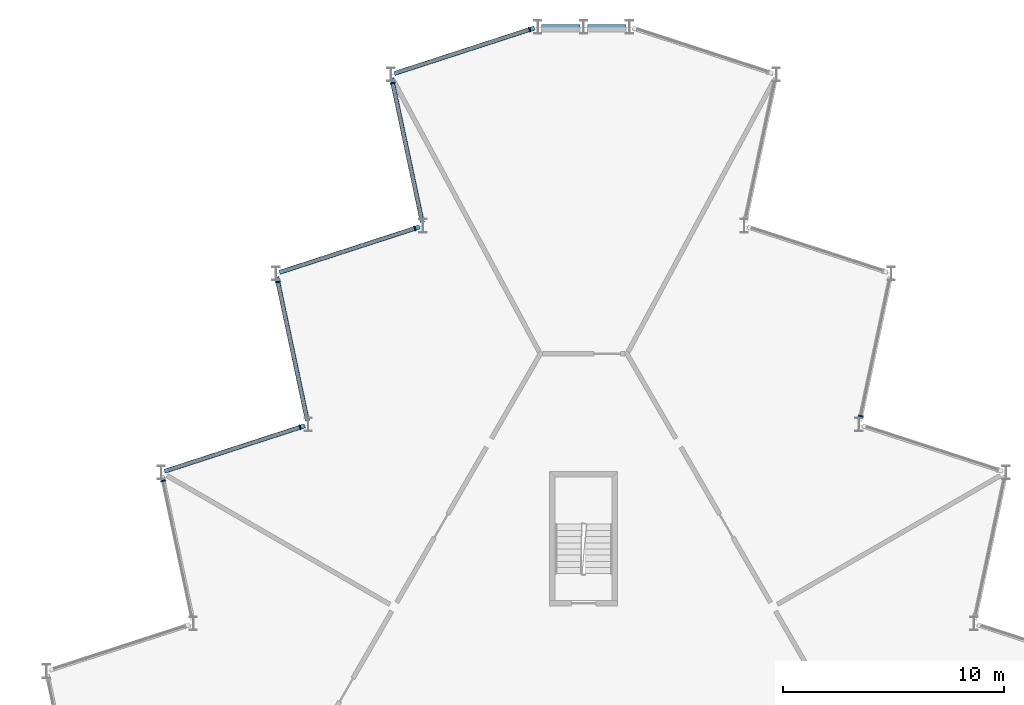
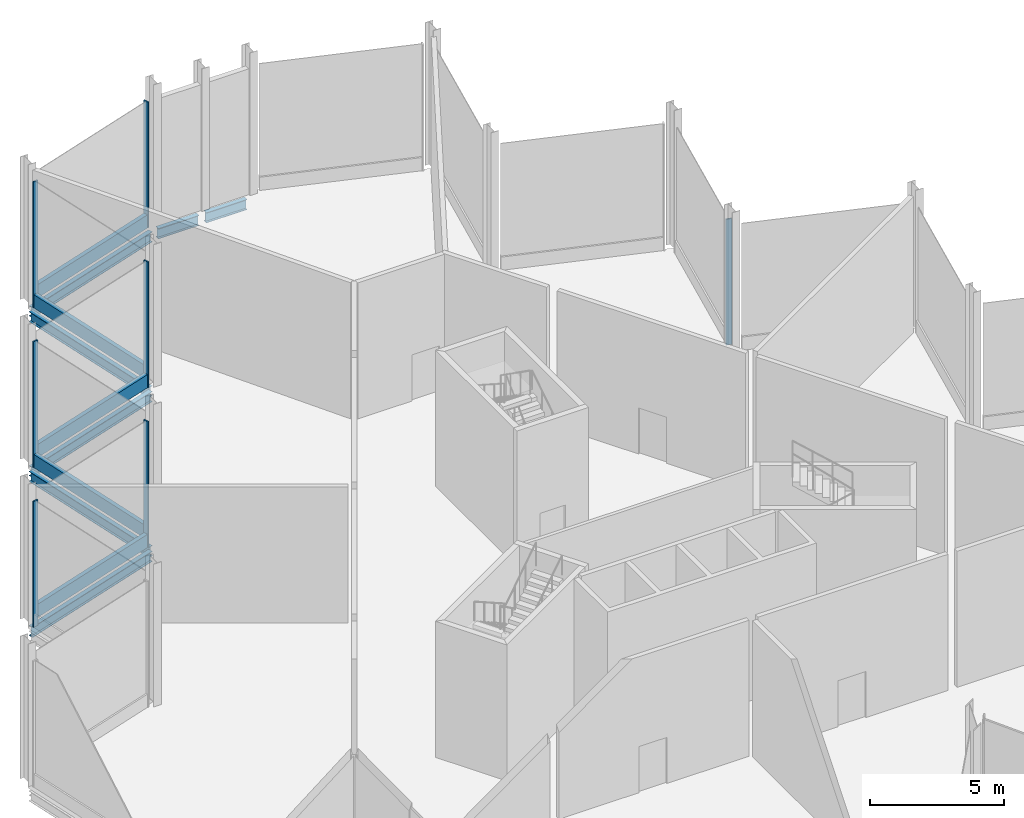
# One storey, part 7 of 12: 12 members, 7 beams, 7 elements without a shape of their own.
"""IFC4 building model written with IfcOpenShell, lengths in metres."""

from ifc_helpers import new_model, si_unit, direction, frame, origin, origin_2d, place, context, subcontext, project, spatial, rectangle, i_section, extrude, material, layer, layer_set, material_profile, profile_set, type_object, element, aggregate, save


model = new_model("IFC4")

# Units and contexts
model_context = context("Model", 3, precision=1e-05, world=origin(), true_north=direction((0.0, 1.0)))
body_context = subcontext(model_context, "Body", "Model", "MODEL_VIEW")
ifc_project = project(units=[si_unit("LENGTHUNIT", "METRE"), si_unit("AREAUNIT", "SQUARE_METRE"), si_unit("VOLUMEUNIT", "CUBIC_METRE"), si_unit("PLANEANGLEUNIT", "RADIAN"), si_unit("MASSUNIT", "GRAM", prefix="KILO")], contexts=[model_context])

# Site, building, storey
site_placement = place(None, origin())
site = spatial("IfcSite", under=ifc_project, at=site_placement, CompositionType="ELEMENT")
building_placement = place(site_placement, origin())
building = spatial("IfcBuilding", under=site, at=building_placement, Name="Cormorant Prow Tower", CompositionType="ELEMENT")
storey_placement = place(building_placement, frame((0.0, 0.0, 415.199951171875)))
storey = spatial("IfcBuildingStorey", under=building, at=storey_placement, Name="L94", CompositionType="ELEMENT", Elevation=415.199951171875)

# Curtain wall, member
ifc_material_1 = material(Name="Aluminium 6063-T6", Category="aluminium")
ifc_layer = layer(ifc_material_1, 0.219970703125)
ifc_layer_set = layer_set([ifc_layer], Name="Aluminium 6063-T6")
curtain_wall_type = type_object("IfcCurtainWallType", Name="Crown unitised curtain wall 220", PredefinedType="NOTDEFINED", material=ifc_layer_set)
curtain_wall_1_placement = place(storey_placement, origin())
curtain_wall_1 = element("IfcCurtainWall", 1, at=curtain_wall_1_placement, inside=storey, type_object=curtain_wall_type, Name="Crown curtain wall crown ENE06", PredefinedType="NOTDEFINED")
ifc_material_2 = material(Name="Aluminium 6063-T6", Category="aluminium")
ifc_material_profile_1 = material_profile(ifc_material_2, rectangle(XDim=0.219970703125, YDim=0.06005859375, at=origin_2d()), Name="Crown mullion 60x220")
ifc_profile_set_1 = profile_set([ifc_material_profile_1], Name="Aluminium 6063-T6")
member_type_1 = type_object("IfcMemberType", Name="Crown mullion 60x220", PredefinedType="MULLION", material=ifc_profile_set_1)
member_1_placement = place(storey_placement, frame((12.55615234375, 13.593505859375, 0.0), z_axis=(0.0, 0.0, 1.0), x_axis=(-0.978147615768, 0.207911620089, 0.0)))
member_1 = element("IfcMember", 2, at=member_1_placement, type_object=member_type_1, Name="Crown mullion crown ENE06", PredefinedType="MULLION", context=body_context, shape_type="SweptSolid", body=[
    extrude(rectangle(XDim=0.219970703125, YDim=0.06005859375, at=origin_2d()), origin(), (0.0, 0.0, 1.0), 5.73388671875),
])
aggregate(curtain_wall_1, [member_1])

curtain_wall_2_placement = place(storey_placement, origin())
curtain_wall_2 = element("IfcCurtainWall", 3, at=curtain_wall_2_placement, inside=storey, type_object=curtain_wall_type, Name="Crown curtain wall crown WNW00", PredefinedType="NOTDEFINED")
member_2_placement = place(storey_placement, frame((-2.450439453125, 31.09716796875, 0.0), z_axis=(0.0, 0.0, 1.0), x_axis=(0.309017066365, -0.951056492904, 0.0)))
member_2 = element("IfcMember", 4, at=member_2_placement, type_object=member_type_1, Name="Crown mullion crown WNW00", PredefinedType="MULLION", context=body_context, shape_type="SweptSolid", body=[
    extrude(rectangle(XDim=0.219970703125, YDim=0.06005859375, at=origin_2d()), origin(), (0.0, 0.0, 1.0), 5.73388671875),
])

curtain_wall_3_placement = place(storey_placement, origin())
curtain_wall_3 = element("IfcCurtainWall", 5, at=curtain_wall_3_placement, inside=storey, type_object=curtain_wall_type, Name="Crown curtain wall crown WNW01", PredefinedType="NOTDEFINED")
member_3_placement = place(storey_placement, frame((-8.646240234375, 28.669921875, 0.0), z_axis=(0.0, 0.0, 1.0), x_axis=(0.978147615768, 0.207911620089, 0.0)))
member_3 = element("IfcMember", 6, at=member_3_placement, type_object=member_type_1, Name="Crown mullion crown WNW01", PredefinedType="MULLION", context=body_context, shape_type="SweptSolid", body=[
    extrude(rectangle(XDim=0.219970703125, YDim=0.06005859375, at=origin_2d()), origin(), (0.0, 0.0, 1.0), 5.73388671875),
])

curtain_wall_4_placement = place(storey_placement, origin())
curtain_wall_4 = element("IfcCurtainWall", 7, at=curtain_wall_4_placement, inside=storey, type_object=curtain_wall_type, Name="Crown curtain wall crown WNW02", PredefinedType="NOTDEFINED")
member_4_placement = place(storey_placement, frame((-7.650390625, 22.090576171875, 0.0), z_axis=(0.0, 0.0, 1.0), x_axis=(0.309016937108, -0.951056534902, 0.0)))
member_4 = element("IfcMember", 8, at=member_4_placement, type_object=member_type_1, Name="Crown mullion crown WNW02", PredefinedType="MULLION", context=body_context, shape_type="SweptSolid", body=[
    extrude(rectangle(XDim=0.219970703125, YDim=0.06005859375, at=origin_2d()), origin(), (0.0, 0.0, 1.0), 5.73388671875),
])

curtain_wall_5_placement = place(storey_placement, origin())
curtain_wall_5 = element("IfcCurtainWall", 9, at=curtain_wall_5_placement, inside=storey, type_object=curtain_wall_type, Name="Crown curtain wall crown WNW03", PredefinedType="NOTDEFINED")
member_5_placement = place(storey_placement, frame((-13.84619140625, 19.663330078125, 0.0), z_axis=(0.0, 0.0, 1.0), x_axis=(0.978147615768, 0.207911620089, 0.0)))
member_5 = element("IfcMember", 10, at=member_5_placement, type_object=member_type_1, Name="Crown mullion crown WNW03", PredefinedType="MULLION", context=body_context, shape_type="SweptSolid", body=[
    extrude(rectangle(XDim=0.219970703125, YDim=0.06005859375, at=origin_2d()), origin(), (0.0, 0.0, 1.0), 5.73388671875),
])

curtain_wall_6_placement = place(storey_placement, origin())
curtain_wall_6 = element("IfcCurtainWall", 11, at=curtain_wall_6_placement, inside=storey, type_object=curtain_wall_type, Name="Crown curtain wall crown WNW04", PredefinedType="NOTDEFINED")
member_6_placement = place(storey_placement, frame((-12.850341796875, 13.083740234375, 0.0), z_axis=(0.0, 0.0, 1.0), x_axis=(0.309017066365, -0.951056492904, 0.0)))
member_6 = element("IfcMember", 12, at=member_6_placement, type_object=member_type_1, Name="Crown mullion crown WNW04", PredefinedType="MULLION", context=body_context, shape_type="SweptSolid", body=[
    extrude(rectangle(XDim=0.219970703125, YDim=0.06005859375, at=origin_2d()), origin(), (0.0, 0.0, 1.0), 5.73388671875),
])

curtain_wall_7_placement = place(storey_placement, origin())
curtain_wall_7 = element("IfcCurtainWall", 13, at=curtain_wall_7_placement, inside=storey, type_object=curtain_wall_type, Name="Crown curtain wall crown WNW05", PredefinedType="NOTDEFINED")
member_7_placement = place(storey_placement, frame((-19.04638671875, 10.656494140625, 0.0), z_axis=(0.0, 0.0, 1.0), x_axis=(0.978147609588, 0.207911649162, 0.0)))
member_7 = element("IfcMember", 14, at=member_7_placement, type_object=member_type_1, Name="Crown mullion crown WNW05", PredefinedType="MULLION", context=body_context, shape_type="SweptSolid", body=[
    extrude(rectangle(XDim=0.219970703125, YDim=0.06005859375, at=origin_2d()), origin(), (0.0, 0.0, 1.0), 5.73388671875),
])
aggregate(curtain_wall_7, [member_7])

# Beams
ifc_material_3 = material(Name="Structural steel ASTM A992 Gr 50", Category="steel")
ifc_material_profile_2 = material_profile(ifc_material_3, i_section(OverallWidth=0.19287109375, OverallDepth=0.466064453125, WebThickness=0.011474609375, FlangeThickness=0.01904296875, at=origin_2d()), Name="W18x65")
ifc_profile_set_2 = profile_set([ifc_material_profile_2], Name="Structural steel ASTM A992 Gr 50")
beam_type = type_object("IfcBeamType", Name="Crown ring beam W18x65", PredefinedType="SPANDREL", material=ifc_profile_set_2)
for number, where, z_axis, x_axis, name in (
    (15, (1.91064453125, 31.219482421875, -0.532958984375), (-1.0, 0.0, 0.0), (0.0, -1.0, 0.0), "Crown ring beam SB5 N00-N01 L94"),
    (16, (-0.163330078125, 31.219482421875, -0.532958984375), (-1.0, 0.0, 0.0), (0.0, -1.0, 0.0), "Crown ring beam SB5 N01-WNW00 L94"),
):
    element("IfcBeam", number, at=place(storey_placement, frame(where, z_axis=z_axis, x_axis=x_axis)), inside=storey, type_object=beam_type, Name=name, PredefinedType="SPANDREL", context=body_context, shape_type="SweptSolid", body=[
        extrude(i_section(OverallWidth=0.19287109375, OverallDepth=0.466064453125, WebThickness=0.011474609375, FlangeThickness=0.01904296875, at=origin_2d()), origin(), (0.0, 0.0, 1.0), 1.747314453125),
    ])
for number, where, z_axis, x_axis, name in (
    (17, (-2.22900390625, 31.169189453125, -0.532958984375), (-0.951049666898, -0.309038073858, 0.0), (0.309038073858, -0.951049666898, 0.0), "Crown ring beam SB5 WNW00-WNW01 L94"),
    (18, (-8.694580078125, 28.8974609375, -0.532958984375), (0.207884143827, -0.978153455622, 0.0), (0.978153455622, 0.207884143827, 0.0), "Crown ring beam SB5 WNW01-WNW02 L94"),
):
    element("IfcBeam", number, at=place(storey_placement, frame(where, z_axis=z_axis, x_axis=x_axis)), inside=storey, type_object=beam_type, Name=name, PredefinedType="SPANDREL", context=body_context, shape_type="SweptSolid", body=[
        extrude(i_section(OverallWidth=0.19287109375, OverallDepth=0.466064453125, WebThickness=0.011474609375, FlangeThickness=0.01904296875, at=origin_2d()), origin(), (0.0, 0.0, 1.0), 6.670654296875),
    ])
beam_placement = place(storey_placement, frame((-7.428955078125, 22.162353515625, -0.532958984375), z_axis=(-0.951063917575, -0.308994214649, 0.0), x_axis=(0.308994214649, -0.951063917575, 0.0)))
element("IfcBeam", 19, at=beam_placement, inside=storey, type_object=beam_type, Name="Crown ring beam SB5 WNW02-WNW03 L94", PredefinedType="SPANDREL", context=body_context, shape_type="SweptSolid", body=[
    extrude(i_section(OverallWidth=0.19287109375, OverallDepth=0.466064453125, WebThickness=0.011474609375, FlangeThickness=0.01904296875, at=origin_2d()), origin(), (0.0, 0.0, 1.0), 6.6708984375),
])
for number, where, z_axis, x_axis, name in (
    (20, (-13.894775390625, 19.890869140625, -0.532958984375), (0.207919161079, -0.978146012851, 0.0), (0.978146012851, 0.207919161079, 0.0), "Crown ring beam SB5 WNW03-WNW04 L94"),
    (21, (-12.629150390625, 13.15576171875, -0.532958984375), (-0.951049666898, -0.309038073858, 0.0), (0.309038073858, -0.951049666898, 0.0), "Crown ring beam SB5 WNW04-WNW05 L94"),
):
    element("IfcBeam", number, at=place(storey_placement, frame(where, z_axis=z_axis, x_axis=x_axis)), inside=storey, type_object=beam_type, Name=name, PredefinedType="SPANDREL", context=body_context, shape_type="SweptSolid", body=[
        extrude(i_section(OverallWidth=0.19287109375, OverallDepth=0.466064453125, WebThickness=0.011474609375, FlangeThickness=0.01904296875, at=origin_2d()), origin(), (0.0, 0.0, 1.0), 6.670654296875),
    ])

# Member
ifc_material_4 = material(Name="Terracotta", Category="masonry")
ifc_material_profile_3 = material_profile(ifc_material_4, rectangle(XDim=0.179931640625, YDim=0.60009765625, at=origin_2d()), Name="Crown terracotta spandrel rail 180x600")
ifc_profile_set_3 = profile_set([ifc_material_profile_3], Name="Terracotta")
member_type_2 = type_object("IfcMemberType", Name="Crown terracotta spandrel rail 180x600", PredefinedType="USERDEFINED", material=ifc_profile_set_3)
member_8_placement = place(storey_placement, frame((-2.47900390625, 31.087890625, 0.300048828125), z_axis=(-0.951059797983, -0.309006894194, 0.0), x_axis=(0.309006894194, -0.951059797983, 0.0)))
member_8 = element("IfcMember", 22, at=member_8_placement, type_object=member_type_2, Name="Crown spandrel rail crown WNW00", ObjectType="TRANSOM", PredefinedType="USERDEFINED", context=body_context, shape_type="SweptSolid", body=[
    extrude(rectangle(XDim=0.179931640625, YDim=0.60009765625, at=origin_2d()), origin(), (0.0, 0.0, 1.0), 6.205322265625),
])

aggregate(curtain_wall_2, [member_2, member_8])

member_9_placement = place(storey_placement, frame((-8.64013671875, 28.640625, 0.300048828125), z_axis=(0.207927454003, -0.978144250033, 0.0), x_axis=(0.978144250033, 0.207927454003, 0.0)))
member_9 = element("IfcMember", 23, at=member_9_placement, type_object=member_type_2, Name="Crown spandrel rail crown WNW01", ObjectType="TRANSOM", PredefinedType="USERDEFINED", context=body_context, shape_type="SweptSolid", body=[
    extrude(rectangle(XDim=0.179931640625, YDim=0.60009765625, at=origin_2d()), origin(), (0.0, 0.0, 1.0), 6.20556640625),
])

aggregate(curtain_wall_3, [member_3, member_9])

member_10_placement = place(storey_placement, frame((-7.678955078125, 22.081298828125, 0.300048828125), z_axis=(-0.951048234918, -0.309042480672, 0.0), x_axis=(0.309042480672, -0.951048234918, 0.0)))
member_10 = element("IfcMember", 24, at=member_10_placement, type_object=member_type_2, Name="Crown spandrel rail crown WNW02", ObjectType="TRANSOM", PredefinedType="USERDEFINED", context=body_context, shape_type="SweptSolid", body=[
    extrude(rectangle(XDim=0.179931640625, YDim=0.60009765625, at=origin_2d()), origin(), (0.0, 0.0, 1.0), 6.205322265625),
])

aggregate(curtain_wall_4, [member_4, member_10])

member_11_placement = place(storey_placement, frame((-13.840087890625, 19.6337890625, 0.300048828125), z_axis=(0.207935455991, -0.978142548988, 0.0), x_axis=(0.978142548988, 0.207935455991, 0.0)))
member_11 = element("IfcMember", 25, at=member_11_placement, type_object=member_type_2, Name="Crown spandrel rail crown WNW03", ObjectType="TRANSOM", PredefinedType="USERDEFINED", context=body_context, shape_type="SweptSolid", body=[
    extrude(rectangle(XDim=0.179931640625, YDim=0.60009765625, at=origin_2d()), origin(), (0.0, 0.0, 1.0), 6.205322265625),
])

aggregate(curtain_wall_5, [member_5, member_11])

member_12_placement = place(storey_placement, frame((-12.87890625, 13.074462890625, 0.300048828125), z_axis=(-0.951059797983, -0.309006894194, 0.0), x_axis=(0.309006894194, -0.951059797983, 0.0)))
member_12 = element("IfcMember", 26, at=member_12_placement, type_object=member_type_2, Name="Crown spandrel rail crown WNW04", ObjectType="TRANSOM", PredefinedType="USERDEFINED", context=body_context, shape_type="SweptSolid", body=[
    extrude(rectangle(XDim=0.179931640625, YDim=0.60009765625, at=origin_2d()), origin(), (0.0, 0.0, 1.0), 6.205322265625),
])

aggregate(curtain_wall_6, [member_6, member_12])

save(model, "model.ifc")
